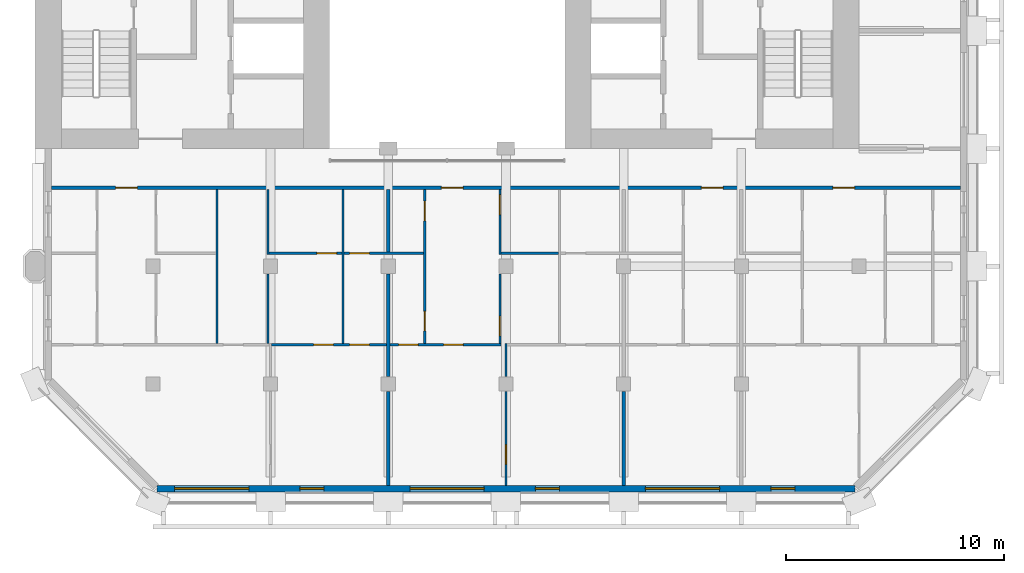
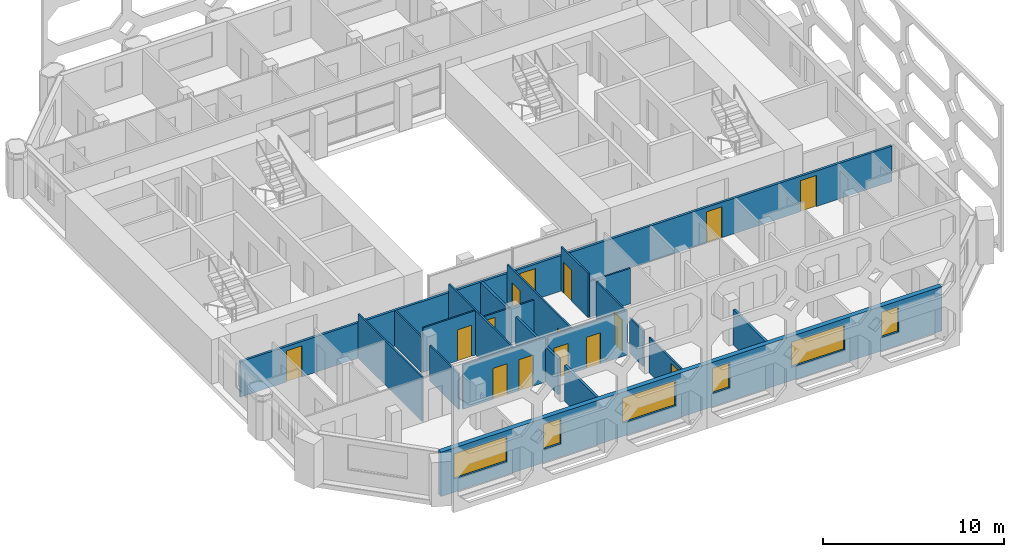
# One storey, part 6 of 15: 20 walls, 15 doors, 6 windows, 21 openings.
"""IFC4 building model written with IfcOpenShell, lengths in metres."""

from ifc_helpers import new_model, si_unit, direction, frame, frame_2d, origin, place, context, subcontext, project, spatial, rectangle, extrude, material, layer, layer_set, type_object, element, fill, save


model = new_model("IFC4")

# Units and contexts
model_context = context("Model", 3, precision=1e-05, world=origin(), true_north=direction((0.0, 1.0)))
body_context = subcontext(model_context, "Body", "Model", "MODEL_VIEW")
ifc_project = project(units=[si_unit("LENGTHUNIT", "METRE"), si_unit("AREAUNIT", "SQUARE_METRE"), si_unit("VOLUMEUNIT", "CUBIC_METRE"), si_unit("PLANEANGLEUNIT", "RADIAN"), si_unit("MASSUNIT", "GRAM", prefix="KILO")], contexts=[model_context])

# Site, building, storey
site_placement = place(None, origin())
site = spatial("IfcSite", under=ifc_project, at=site_placement, CompositionType="ELEMENT")
building_placement = place(site_placement, origin())
building = spatial("IfcBuilding", under=site, at=building_placement, Name="Tabaq Tower and Sports Hall", CompositionType="ELEMENT")
storey_placement = place(building_placement, frame((0.0, 0.0, 278.5)))
storey = spatial("IfcBuildingStorey", under=building, at=storey_placement, Name="L68", CompositionType="ELEMENT", Elevation=278.5)

# Wall, openings, doors
ifc_material_1 = material(Name="Gypsum board on steel studs", Category="steel")
ifc_layer_1 = layer(ifc_material_1, 0.10009765625)
ifc_layer_set_1 = layer_set([ifc_layer_1], Name="Partition 100 Gypsum board")
wall_type_1 = type_object("IfcWallType", Name="Partition 100 Gypsum board", PredefinedType="PARTITIONING", material=ifc_layer_set_1)
wall_1_placement = place(storey_placement, frame((21.52490234375, 7.199951171875, 0.0), z_axis=(0.0, 0.0, 1.0), x_axis=(-1.0, 0.0, 0.0)))
wall_1 = element("IfcWall", 1, at=wall_1_placement, inside=storey, type_object=wall_type_1, Name="Partition wall L68", PredefinedType="PARTITIONING", context=body_context, shape_type="SweptSolid", body=[
    extrude(rectangle(XDim=5.27490234375, YDim=0.10009765625, at=frame_2d((2.637451171875, 0.0))), origin(), (0.0, 0.0, 1.0), 3.0),
])
opening_1_placement = place(wall_1_placement, frame((2.447021484375, 0.0, 0.0)))
opening_1 = element("IfcOpeningElement", 2, at=opening_1_placement, cuts=wall_1, Name="Opening L68-037", PredefinedType="OPENING", context=body_context, shape_type="SweptSolid", body=[
    extrude(rectangle(XDim=0.89990234375, YDim=2.10009765625, at=frame_2d((0.449951171875, 1.050048828125))), frame((0.0, 0.050048828125, 0.0), z_axis=(0.0, -1.0, 0.0), x_axis=(1.0, 0.0, 0.0)), (0.0, 0.0, 1.0), 0.10009765625),
])
opening_2_placement = place(wall_1_placement, frame((0.794921875, 0.0, 0.0)))
opening_2 = element("IfcOpeningElement", 3, at=opening_2_placement, cuts=wall_1, Name="Opening L68-038", PredefinedType="OPENING", context=body_context, shape_type="SweptSolid", body=[
    extrude(rectangle(XDim=0.89990234375, YDim=2.10009765625, at=frame_2d((0.449951171875, 1.050048828125))), frame((0.0, 0.050048828125, 0.0), z_axis=(0.0, -1.0, 0.0), x_axis=(1.0, 0.0, 0.0)), (0.0, 0.0, 1.0), 0.10009765625),
])
ifc_material_2 = material(Name="Timber leaf in steel frame", Category="steel")
door_type_1 = type_object("IfcDoorType", Name="Internal door 900 left hand", OperationType="SINGLE_SWING_LEFT", PredefinedType="DOOR", material=ifc_material_2)
door_1_placement = place(opening_2_placement, origin())
door_1 = element("IfcDoor", 4, at=door_1_placement, inside=storey, type_object=door_type_1, Name="Internal door L68-038", OperationType="SINGLE_SWING_LEFT", OverallHeight=2.10009765625, OverallWidth=0.89990234375, PredefinedType="DOOR", context=body_context, shape_type="SweptSolid", body=[
    extrude(rectangle(XDim=0.89990234375, YDim=2.10009765625, at=frame_2d((0.449951171875, 1.050048828125))), frame((0.0, 0.02490234375, 0.0), z_axis=(0.0, -1.0, 0.0), x_axis=(1.0, 0.0, 0.0)), (0.0, 0.0, 1.0), 0.050048828125),
])
fill(opening_2, door_1)
ifc_material_3 = material(Name="Timber leaf in steel frame", Category="steel")
door_type_2 = type_object("IfcDoorType", Name="Internal door 900 right hand", OperationType="SINGLE_SWING_RIGHT", PredefinedType="DOOR", material=ifc_material_3)
door_2_placement = place(opening_1_placement, origin())
door_2 = element("IfcDoor", 5, at=door_2_placement, inside=storey, type_object=door_type_2, Name="Internal door L68-037", OperationType="SINGLE_SWING_RIGHT", OverallHeight=2.10009765625, OverallWidth=0.89990234375, PredefinedType="DOOR", context=body_context, shape_type="SweptSolid", body=[
    extrude(rectangle(XDim=0.89990234375, YDim=2.10009765625, at=frame_2d((0.449951171875, 1.050048828125))), frame((0.0, 0.02490234375, 0.0), z_axis=(0.0, -1.0, 0.0), x_axis=(1.0, 0.0, 0.0)), (0.0, 0.0, 1.0), 0.050048828125),
])
fill(opening_1, door_2)

# Walls
wall_2_placement = place(storey_placement, frame((13.739990234375, 7.25, 0.0), z_axis=(0.0, 0.0, 1.0), x_axis=(0.0, 1.0, 0.0)))
element("IfcWall", 6, at=wall_2_placement, inside=storey, type_object=wall_type_1, Name="Partition wall L68", PredefinedType="PARTITIONING", context=body_context, shape_type="SweptSolid", body=[
    extrude(rectangle(XDim=7.074951171875, YDim=0.10009765625, at=frame_2d((3.53759765625, 0.0))), origin(), (0.0, 0.0, 1.0), 3.0),
])
wall_3_placement = place(storey_placement, frame((16.080078125, 7.25, 0.0), z_axis=(0.0, 0.0, 1.0), x_axis=(0.0, 1.0, 0.0)))
element("IfcWall", 7, at=wall_3_placement, inside=storey, type_object=wall_type_1, Name="Partition wall L68", PredefinedType="PARTITIONING", context=body_context, shape_type="SweptSolid", body=[
    extrude(rectangle(XDim=3.205078125, YDim=0.10009765625, at=frame_2d((1.6025390625, 0.0))), origin(), (0.0, 0.0, 1.0), 2.39990234375),
])
wall_4_placement = place(storey_placement, frame((16.080078125, 11.35009765625, 0.0), z_axis=(0.0, 0.0, 1.0), x_axis=(0.0, 1.0, 0.0)))
element("IfcWall", 8, at=wall_4_placement, inside=storey, type_object=wall_type_1, Name="Partition wall L68", PredefinedType="PARTITIONING", context=body_context, shape_type="SweptSolid", body=[
    extrude(rectangle(XDim=2.974853515625, YDim=0.10009765625, at=frame_2d((1.4873046875, 0.0))), origin(), (0.0, 0.0, 1.0), 2.39990234375),
])

# Wall, opening, door
wall_5_placement = place(storey_placement, frame((19.47998046875, 11.39990234375, 0.0), z_axis=(0.0, 0.0, 1.0), x_axis=(-1.0, 0.0, 0.0)))
wall_5 = element("IfcWall", 9, at=wall_5_placement, inside=storey, type_object=wall_type_1, Name="Partition wall L68", PredefinedType="PARTITIONING", context=body_context, shape_type="SweptSolid", body=[
    extrude(rectangle(XDim=3.35009765625, YDim=0.10009765625, at=frame_2d((1.675048828125, 0.0))), origin(), (0.0, 0.0, 1.0), 3.0),
])
opening_3_placement = place(wall_5_placement, frame((0.25, 0.0, 0.0)))
opening_3 = element("IfcOpeningElement", 10, at=opening_3_placement, cuts=wall_5, Name="Opening L68-013", PredefinedType="OPENING", context=body_context, shape_type="SweptSolid", body=[
    extrude(rectangle(XDim=0.89990234375, YDim=2.10009765625, at=frame_2d((0.449951171875, 1.050048828125))), frame((0.0, 0.050048828125, 0.0), z_axis=(0.0, -1.0, 0.0), x_axis=(1.0, 0.0, 0.0)), (0.0, 0.0, 1.0), 0.10009765625),
])
door_3_placement = place(opening_3_placement, origin())
door_3 = element("IfcDoor", 11, at=door_3_placement, inside=storey, type_object=door_type_2, Name="Internal door L68-013", OperationType="SINGLE_SWING_RIGHT", OverallHeight=2.10009765625, OverallWidth=0.89990234375, PredefinedType="DOOR", context=body_context, shape_type="SweptSolid", body=[
    extrude(rectangle(XDim=0.89990234375, YDim=2.10009765625, at=frame_2d((0.449951171875, 1.050048828125))), frame((0.0, 0.02490234375, 0.0), z_axis=(0.0, -1.0, 0.0), x_axis=(1.0, 0.0, 0.0)), (0.0, 0.0, 1.0), 0.050048828125),
])
fill(opening_3, door_3)

# Wall
wall_6_placement = place(storey_placement, frame((19.530029296875, 7.25, 0.0), z_axis=(0.0, 0.0, 1.0), x_axis=(0.0, 1.0, 0.0)))
element("IfcWall", 12, at=wall_6_placement, inside=storey, type_object=wall_type_1, Name="Partition wall L68", PredefinedType="PARTITIONING", context=body_context, shape_type="SweptSolid", body=[
    extrude(rectangle(XDim=7.074951171875, YDim=0.10009765625, at=frame_2d((3.53759765625, 0.0))), origin(), (0.0, 0.0, 1.0), 3.0),
])

# Wall, opening, door
wall_7_placement = place(storey_placement, frame((27.0, 0.7509765625, 0.0), z_axis=(0.0, 0.0, 1.0), x_axis=(0.0, 1.0, 0.0)))
wall_7 = element("IfcWall", 13, at=wall_7_placement, inside=storey, type_object=wall_type_1, Name="Partition wall L68", PredefinedType="PARTITIONING", context=body_context, shape_type="SweptSolid", body=[
    extrude(rectangle(XDim=4.303955078125, YDim=0.10009765625, at=frame_2d((2.15185546875, 0.0))), origin(), (0.0, 0.0, 1.0), 2.39990234375),
])
opening_4_placement = place(wall_7_placement, frame((0.97412109375, 0.0, 0.0)))
opening_4 = element("IfcOpeningElement", 14, at=opening_4_placement, cuts=wall_7, Name="Opening L68-040", PredefinedType="OPENING", context=body_context, shape_type="SweptSolid", body=[
    extrude(rectangle(XDim=0.89990234375, YDim=2.10009765625, at=frame_2d((0.449951171875, 1.050048828125))), frame((0.0, 0.050048828125, 0.0), z_axis=(0.0, -1.0, 0.0), x_axis=(1.0, 0.0, 0.0)), (0.0, 0.0, 1.0), 0.10009765625),
])
door_4_placement = place(opening_4_placement, origin())
door_4 = element("IfcDoor", 15, at=door_4_placement, inside=storey, type_object=door_type_2, Name="Internal door L68-040", OperationType="SINGLE_SWING_RIGHT", OverallHeight=2.10009765625, OverallWidth=0.89990234375, PredefinedType="DOOR", context=body_context, shape_type="SweptSolid", body=[
    extrude(rectangle(XDim=0.89990234375, YDim=2.10009765625, at=frame_2d((0.449951171875, 1.050048828125))), frame((0.0, 0.02490234375, 0.0), z_axis=(0.0, -1.0, 0.0), x_axis=(1.0, 0.0, 0.0)), (0.0, 0.0, 1.0), 0.050048828125),
])
fill(opening_4, door_4)

# Wall
wall_8_placement = place(storey_placement, frame((27.0, 5.7451171875, 0.0), z_axis=(0.0, 0.0, 1.0), x_axis=(0.0, 1.0, 0.0)))
element("IfcWall", 16, at=wall_8_placement, inside=storey, type_object=wall_type_1, Name="Partition wall L68", PredefinedType="PARTITIONING", context=body_context, shape_type="SweptSolid", body=[
    extrude(rectangle(XDim=1.5048828125, YDim=0.10009765625, at=frame_2d((0.75244140625, 0.0))), origin(), (0.0, 0.0, 1.0), 2.39990234375),
])

# Wall, openings, doors
wall_9_placement = place(storey_placement, frame((26.77197265625, 7.199951171875, 0.0), z_axis=(0.0, 0.0, 1.0), x_axis=(-1.0, 0.0, 0.0)))
wall_9 = element("IfcWall", 17, at=wall_9_placement, inside=storey, type_object=wall_type_1, Name="Partition wall L68", PredefinedType="PARTITIONING", context=body_context, shape_type="SweptSolid", body=[
    extrude(rectangle(XDim=5.096923828125, YDim=0.10009765625, at=frame_2d((2.54833984375, 0.0))), origin(), (0.0, 0.0, 1.0), 3.0),
])
opening_5_placement = place(wall_9_placement, frame((3.801025390625, 0.0, 0.0)))
opening_5 = element("IfcOpeningElement", 18, at=opening_5_placement, cuts=wall_9, Name="Opening L68-041", PredefinedType="OPENING", context=body_context, shape_type="SweptSolid", body=[
    extrude(rectangle(XDim=0.89990234375, YDim=2.10009765625, at=frame_2d((0.449951171875, 1.050048828125))), frame((0.0, 0.050048828125, 0.0), z_axis=(0.0, -1.0, 0.0), x_axis=(1.0, 0.0, 0.0)), (0.0, 0.0, 1.0), 0.10009765625),
])
opening_6_placement = place(wall_9_placement, frame((1.73193359375, 0.0, 0.0)))
opening_6 = element("IfcOpeningElement", 19, at=opening_6_placement, cuts=wall_9, Name="Opening L68-055", PredefinedType="OPENING", context=body_context, shape_type="SweptSolid", body=[
    extrude(rectangle(XDim=0.89990234375, YDim=2.10009765625, at=frame_2d((0.449951171875, 1.050048828125))), frame((0.0, 0.050048828125, 0.0), z_axis=(0.0, -1.0, 0.0), x_axis=(1.0, 0.0, 0.0)), (0.0, 0.0, 1.0), 0.10009765625),
])
door_5_placement = place(opening_6_placement, origin())
door_5 = element("IfcDoor", 20, at=door_5_placement, inside=storey, type_object=door_type_1, Name="Internal door L68-055", OperationType="SINGLE_SWING_LEFT", OverallHeight=2.10009765625, OverallWidth=0.89990234375, PredefinedType="DOOR", context=body_context, shape_type="SweptSolid", body=[
    extrude(rectangle(XDim=0.89990234375, YDim=2.10009765625, at=frame_2d((0.449951171875, 1.050048828125))), frame((0.0, 0.02490234375, 0.0), z_axis=(0.0, -1.0, 0.0), x_axis=(1.0, 0.0, 0.0)), (0.0, 0.0, 1.0), 0.050048828125),
])
fill(opening_6, door_5)
door_6_placement = place(opening_5_placement, origin())
door_6 = element("IfcDoor", 21, at=door_6_placement, inside=storey, type_object=door_type_2, Name="Internal door L68-041", OperationType="SINGLE_SWING_RIGHT", OverallHeight=2.10009765625, OverallWidth=0.89990234375, PredefinedType="DOOR", context=body_context, shape_type="SweptSolid", body=[
    extrude(rectangle(XDim=0.89990234375, YDim=2.10009765625, at=frame_2d((0.449951171875, 1.050048828125))), frame((0.0, 0.02490234375, 0.0), z_axis=(0.0, -1.0, 0.0), x_axis=(1.0, 0.0, 0.0)), (0.0, 0.0, 1.0), 0.050048828125),
])
fill(opening_5, door_6)

# Wall, opening, door
wall_10_placement = place(storey_placement, frame((23.220947265625, 11.39990234375, 0.0), z_axis=(0.0, 0.0, 1.0), x_axis=(-1.0, 0.0, 0.0)))
wall_10 = element("IfcWall", 22, at=wall_10_placement, inside=storey, type_object=wall_type_1, Name="Partition wall L68", PredefinedType="PARTITIONING", context=body_context, shape_type="SweptSolid", body=[
    extrude(rectangle(XDim=3.640869140625, YDim=0.10009765625, at=frame_2d((1.8203125, 0.0))), origin(), (0.0, 0.0, 1.0), 2.39990234375),
])
opening_7_placement = place(wall_10_placement, frame((2.490966796875, 0.0, 0.0)))
opening_7 = element("IfcOpeningElement", 23, at=opening_7_placement, cuts=wall_10, Name="Opening L68-014", PredefinedType="OPENING", context=body_context, shape_type="SweptSolid", body=[
    extrude(rectangle(XDim=0.89990234375, YDim=2.10009765625, at=frame_2d((0.449951171875, 1.050048828125))), frame((0.0, 0.050048828125, 0.0), z_axis=(0.0, -1.0, 0.0), x_axis=(1.0, 0.0, 0.0)), (0.0, 0.0, 1.0), 0.10009765625),
])
door_7_placement = place(opening_7_placement, origin())
door_7 = element("IfcDoor", 24, at=door_7_placement, inside=storey, type_object=door_type_2, Name="Internal door L68-014", OperationType="SINGLE_SWING_RIGHT", OverallHeight=2.10009765625, OverallWidth=0.89990234375, PredefinedType="DOOR", context=body_context, shape_type="SweptSolid", body=[
    extrude(rectangle(XDim=0.89990234375, YDim=2.10009765625, at=frame_2d((0.449951171875, 1.050048828125))), frame((0.0, 0.02490234375, 0.0), z_axis=(0.0, -1.0, 0.0), x_axis=(1.0, 0.0, 0.0)), (0.0, 0.0, 1.0), 0.050048828125),
])
fill(opening_7, door_7)

# Wall, openings, doors
wall_11_placement = place(storey_placement, frame((23.27099609375, 7.25, 0.0), z_axis=(0.0, 0.0, 1.0), x_axis=(0.0, 1.0, 0.0)))
wall_11 = element("IfcWall", 25, at=wall_11_placement, inside=storey, type_object=wall_type_1, Name="Partition wall L68", PredefinedType="PARTITIONING", context=body_context, shape_type="SweptSolid", body=[
    extrude(rectangle(XDim=7.074951171875, YDim=0.10009765625, at=frame_2d((3.53759765625, 0.0))), origin(), (0.0, 0.0, 1.0), 3.0),
])
opening_8_placement = place(wall_11_placement, frame((5.637939453125, 0.0, 0.0)))
opening_8 = element("IfcOpeningElement", 26, at=opening_8_placement, cuts=wall_11, Name="Opening L68-015", PredefinedType="OPENING", context=body_context, shape_type="SweptSolid", body=[
    extrude(rectangle(XDim=0.89990234375, YDim=2.10009765625, at=frame_2d((0.449951171875, 1.050048828125))), frame((0.0, 0.050048828125, 0.0), z_axis=(0.0, -1.0, 0.0), x_axis=(1.0, 0.0, 0.0)), (0.0, 0.0, 1.0), 0.10009765625),
])
opening_9_placement = place(wall_11_placement, frame((0.5869140625, 0.0, 0.0)))
opening_9 = element("IfcOpeningElement", 27, at=opening_9_placement, cuts=wall_11, Name="Opening L68-043", PredefinedType="OPENING", context=body_context, shape_type="SweptSolid", body=[
    extrude(rectangle(XDim=0.89990234375, YDim=2.10009765625, at=frame_2d((0.449951171875, 1.050048828125))), frame((0.0, 0.050048828125, 0.0), z_axis=(0.0, -1.0, 0.0), x_axis=(1.0, 0.0, 0.0)), (0.0, 0.0, 1.0), 0.10009765625),
])
door_8_placement = place(opening_8_placement, origin())
door_8 = element("IfcDoor", 28, at=door_8_placement, inside=storey, type_object=door_type_1, Name="Internal door L68-015", OperationType="SINGLE_SWING_LEFT", OverallHeight=2.10009765625, OverallWidth=0.89990234375, PredefinedType="DOOR", context=body_context, shape_type="SweptSolid", body=[
    extrude(rectangle(XDim=0.89990234375, YDim=2.10009765625, at=frame_2d((0.449951171875, 1.050048828125))), frame((0.0, 0.02490234375, 0.0), z_axis=(0.0, -1.0, 0.0), x_axis=(1.0, 0.0, 0.0)), (0.0, 0.0, 1.0), 0.050048828125),
])
fill(opening_8, door_8)
door_9_placement = place(opening_9_placement, origin())
door_9 = element("IfcDoor", 29, at=door_9_placement, inside=storey, type_object=door_type_2, Name="Internal door L68-043", OperationType="SINGLE_SWING_RIGHT", OverallHeight=2.10009765625, OverallWidth=0.89990234375, PredefinedType="DOOR", context=body_context, shape_type="SweptSolid", body=[
    extrude(rectangle(XDim=0.89990234375, YDim=2.10009765625, at=frame_2d((0.449951171875, 1.050048828125))), frame((0.0, 0.02490234375, 0.0), z_axis=(0.0, -1.0, 0.0), x_axis=(1.0, 0.0, 0.0)), (0.0, 0.0, 1.0), 0.050048828125),
])
fill(opening_9, door_9)

# Wall, opening, door
wall_12_placement = place(storey_placement, frame((26.721923828125, 7.25, 0.0), z_axis=(0.0, 0.0, 1.0), x_axis=(0.0, 1.0, 0.0)))
wall_12 = element("IfcWall", 30, at=wall_12_placement, inside=storey, type_object=wall_type_1, Name="Partition wall L68", PredefinedType="PARTITIONING", context=body_context, shape_type="SweptSolid", body=[
    extrude(rectangle(XDim=3.205078125, YDim=0.10009765625, at=frame_2d((1.6025390625, 0.0))), origin(), (0.0, 0.0, 1.0), 3.0),
])
opening_10_placement = place(wall_12_placement, frame((0.362060546875, 0.0, 0.0)))
opening_10 = element("IfcOpeningElement", 31, at=opening_10_placement, cuts=wall_12, Name="Opening L68-016", PredefinedType="OPENING", context=body_context, shape_type="SweptSolid", body=[
    extrude(rectangle(XDim=0.89990234375, YDim=2.10009765625, at=frame_2d((0.449951171875, 1.050048828125))), frame((0.0, 0.050048828125, 0.0), z_axis=(0.0, -1.0, 0.0), x_axis=(1.0, 0.0, 0.0)), (0.0, 0.0, 1.0), 0.10009765625),
])
door_10_placement = place(opening_10_placement, origin())
door_10 = element("IfcDoor", 32, at=door_10_placement, inside=storey, type_object=door_type_2, Name="Internal door L68-016", OperationType="SINGLE_SWING_RIGHT", OverallHeight=2.10009765625, OverallWidth=0.89990234375, PredefinedType="DOOR", context=body_context, shape_type="SweptSolid", body=[
    extrude(rectangle(XDim=0.89990234375, YDim=2.10009765625, at=frame_2d((0.449951171875, 1.050048828125))), frame((0.0, 0.02490234375, 0.0), z_axis=(0.0, -1.0, 0.0), x_axis=(1.0, 0.0, 0.0)), (0.0, 0.0, 1.0), 0.050048828125),
])
fill(opening_10, door_10)

wall_13_placement = place(storey_placement, frame((26.721923828125, 11.35009765625, 0.0), z_axis=(0.0, 0.0, 1.0), x_axis=(0.0, 1.0, 0.0)))
wall_13 = element("IfcWall", 33, at=wall_13_placement, inside=storey, type_object=wall_type_1, Name="Partition wall L68", PredefinedType="PARTITIONING", context=body_context, shape_type="SweptSolid", body=[
    extrude(rectangle(XDim=2.974853515625, YDim=0.10009765625, at=frame_2d((1.4873046875, 0.0))), origin(), (0.0, 0.0, 1.0), 3.0),
])
opening_11_placement = place(wall_13_placement, frame((1.824951171875, 0.0, 0.0)))
opening_11 = element("IfcOpeningElement", 34, at=opening_11_placement, cuts=wall_13, Name="Opening L68-017", PredefinedType="OPENING", context=body_context, shape_type="SweptSolid", body=[
    extrude(rectangle(XDim=0.89990234375, YDim=2.10009765625, at=frame_2d((0.449951171875, 1.050048828125))), frame((0.0, 0.050048828125, 0.0), z_axis=(0.0, -1.0, 0.0), x_axis=(1.0, 0.0, 0.0)), (0.0, 0.0, 1.0), 0.10009765625),
])
door_11_placement = place(opening_11_placement, origin())
door_11 = element("IfcDoor", 35, at=door_11_placement, inside=storey, type_object=door_type_2, Name="Internal door L68-017", OperationType="SINGLE_SWING_RIGHT", OverallHeight=2.10009765625, OverallWidth=0.89990234375, PredefinedType="DOOR", context=body_context, shape_type="SweptSolid", body=[
    extrude(rectangle(XDim=0.89990234375, YDim=2.10009765625, at=frame_2d((0.449951171875, 1.050048828125))), frame((0.0, 0.02490234375, 0.0), z_axis=(0.0, -1.0, 0.0), x_axis=(1.0, 0.0, 0.0)), (0.0, 0.0, 1.0), 0.050048828125),
])
fill(opening_11, door_11)

# Walls
wall_14_placement = place(storey_placement, frame((29.39990234375, 11.39990234375, 0.0), z_axis=(0.0, 0.0, 1.0), x_axis=(-1.0, 0.0, 0.0)))
element("IfcWall", 36, at=wall_14_placement, inside=storey, type_object=wall_type_1, Name="Partition wall L68", PredefinedType="PARTITIONING", context=body_context, shape_type="SweptSolid", body=[
    extrude(rectangle(XDim=2.6279296875, YDim=0.10009765625, at=frame_2d((1.31396484375, 0.0))), origin(), (0.0, 0.0, 1.0), 2.39990234375),
])
ifc_material_4 = material(Name="Blockwork", Category="masonry")
ifc_layer_2 = layer(ifc_material_4, 0.14990234375)
ifc_layer_set_2 = layer_set([ifc_layer_2], Name="Separating wall 150 Blockwork")
wall_type_2 = type_object("IfcWallType", Name="Separating wall 150 Blockwork", PredefinedType="PARTITIONING", material=ifc_layer_set_2)
wall_15_placement = place(storey_placement, frame((21.60009765625, 0.7509765625, 0.0), z_axis=(0.0, 0.0, 1.0), x_axis=(0.0, 1.0, 0.0)))
element("IfcWall", 37, at=wall_15_placement, inside=storey, type_object=wall_type_2, Name="Separating wall L68", PredefinedType="PARTITIONING", context=body_context, shape_type="SweptSolid", body=[
    extrude(rectangle(XDim=4.303955078125, YDim=0.14990234375, at=frame_2d((2.15185546875, 0.0))), origin(), (0.0, 0.0, 1.0), 2.39990234375),
])
wall_16_placement = place(storey_placement, frame((21.60009765625, 5.7451171875, 0.0), z_axis=(0.0, 0.0, 1.0), x_axis=(0.0, 1.0, 0.0)))
element("IfcWall", 38, at=wall_16_placement, inside=storey, type_object=wall_type_2, Name="Separating wall L68", PredefinedType="PARTITIONING", context=body_context, shape_type="SweptSolid", body=[
    extrude(rectangle(XDim=4.7099609375, YDim=0.14990234375, at=frame_2d((2.35498046875, 0.0))), origin(), (0.0, 0.0, 1.0), 2.39990234375),
])
wall_17_placement = place(storey_placement, frame((21.60009765625, 11.449951171875, 0.0), z_axis=(0.0, 0.0, 1.0), x_axis=(0.0, 1.0, 0.0)))
element("IfcWall", 39, at=wall_17_placement, inside=storey, type_object=wall_type_2, Name="Separating wall L68", PredefinedType="PARTITIONING", context=body_context, shape_type="SweptSolid", body=[
    extrude(rectangle(XDim=2.875, YDim=0.14990234375, at=frame_2d((1.4375, 0.0))), origin(), (0.0, 0.0, 1.0), 2.39990234375),
])
wall_18_placement = place(storey_placement, frame((32.39990234375, 0.7509765625, 0.0), z_axis=(0.0, 0.0, 1.0), x_axis=(0.0, 1.0, 0.0)))
element("IfcWall", 40, at=wall_18_placement, inside=storey, type_object=wall_type_2, Name="Separating wall L68", PredefinedType="PARTITIONING", context=body_context, shape_type="SweptSolid", body=[
    extrude(rectangle(XDim=4.303955078125, YDim=0.14990234375, at=frame_2d((2.15185546875, 0.0))), origin(), (0.0, 0.0, 1.0), 2.39990234375),
])

# Wall, openings, doors
wall_19_placement = place(storey_placement, frame((47.84912109375, 14.39990234375, 0.0), z_axis=(0.0, 0.0, 1.0), x_axis=(-1.0, 0.0, 0.0)))
wall_19 = element("IfcWall", 41, at=wall_19_placement, inside=storey, type_object=wall_type_2, Name="Separating wall L68", PredefinedType="PARTITIONING", context=body_context, shape_type="SweptSolid", body=[
    extrude(rectangle(XDim=41.6982421875, YDim=0.14990234375, at=frame_2d((20.84912109375, 0.0))), origin(), (0.0, 0.0, 1.0), 2.39990234375),
])
opening_12_placement = place(wall_19_placement, frame((10.881103515625, 0.0, 0.0)))
opening_12 = element("IfcOpeningElement", 42, at=opening_12_placement, cuts=wall_19, Name="Opening L68-062", PredefinedType="OPENING", context=body_context, shape_type="SweptSolid", body=[
    extrude(rectangle(XDim=1.0, YDim=2.10009765625, at=frame_2d((0.5, 1.050048828125))), frame((0.0, 0.074951171875, 0.0), z_axis=(0.0, -1.0, 0.0), x_axis=(1.0, 0.0, 0.0)), (0.0, 0.0, 1.0), 0.14990234375),
])
opening_13_placement = place(wall_19_placement, frame((37.759033203125, 0.0, 0.0)))
opening_13 = element("IfcOpeningElement", 43, at=opening_13_placement, cuts=wall_19, Name="Opening L68-063", PredefinedType="OPENING", context=body_context, shape_type="SweptSolid", body=[
    extrude(rectangle(XDim=1.0, YDim=2.10009765625, at=frame_2d((0.5, 1.050048828125))), frame((0.0, 0.074951171875, 0.0), z_axis=(0.0, -1.0, 0.0), x_axis=(1.0, 0.0, 0.0)), (0.0, 0.0, 1.0), 0.14990234375),
])
opening_14_placement = place(wall_19_placement, frame((22.81494140625, 0.0, 0.0)))
opening_14 = element("IfcOpeningElement", 44, at=opening_14_placement, cuts=wall_19, Name="Opening L68-064", PredefinedType="OPENING", context=body_context, shape_type="SweptSolid", body=[
    extrude(rectangle(XDim=1.0, YDim=2.10009765625, at=frame_2d((0.5, 1.050048828125))), frame((0.0, 0.074951171875, 0.0), z_axis=(0.0, -1.0, 0.0), x_axis=(1.0, 0.0, 0.0)), (0.0, 0.0, 1.0), 0.14990234375),
])
opening_15_placement = place(wall_19_placement, frame((4.85009765625, 0.0, 0.0)))
opening_15 = element("IfcOpeningElement", 45, at=opening_15_placement, cuts=wall_19, Name="Opening L68-065", PredefinedType="OPENING", context=body_context, shape_type="SweptSolid", body=[
    extrude(rectangle(XDim=1.0, YDim=2.10009765625, at=frame_2d((0.5, 1.050048828125))), frame((0.0, 0.074951171875, 0.0), z_axis=(0.0, -1.0, 0.0), x_axis=(1.0, 0.0, 0.0)), (0.0, 0.0, 1.0), 0.14990234375),
])
ifc_material_5 = material(Name="Steel fire door", Category="steel")
door_type_3 = type_object("IfcDoorType", Name="Entrance door 1000 left hand", OperationType="SINGLE_SWING_LEFT", PredefinedType="DOOR", material=ifc_material_5)
door_12_placement = place(opening_13_placement, origin())
door_12 = element("IfcDoor", 46, at=door_12_placement, inside=storey, type_object=door_type_3, Name="Entrance door L68-063", OperationType="SINGLE_SWING_LEFT", OverallHeight=2.10009765625, OverallWidth=1.0, PredefinedType="DOOR", context=body_context, shape_type="SweptSolid", body=[
    extrude(rectangle(XDim=1.0, YDim=2.10009765625, at=frame_2d((0.5, 1.050048828125))), frame((0.0, 0.02490234375, 0.0), z_axis=(0.0, -1.0, 0.0), x_axis=(1.0, 0.0, 0.0)), (0.0, 0.0, 1.0), 0.050048828125),
])
fill(opening_13, door_12)
door_13_placement = place(opening_14_placement, origin())
door_13 = element("IfcDoor", 47, at=door_13_placement, inside=storey, type_object=door_type_3, Name="Entrance door L68-064", OperationType="SINGLE_SWING_LEFT", OverallHeight=2.10009765625, OverallWidth=1.0, PredefinedType="DOOR", context=body_context, shape_type="SweptSolid", body=[
    extrude(rectangle(XDim=1.0, YDim=2.10009765625, at=frame_2d((0.5, 1.050048828125))), frame((0.0, 0.02490234375, 0.0), z_axis=(0.0, -1.0, 0.0), x_axis=(1.0, 0.0, 0.0)), (0.0, 0.0, 1.0), 0.050048828125),
])
fill(opening_14, door_13)
ifc_material_6 = material(Name="Steel fire door", Category="steel")
door_type_4 = type_object("IfcDoorType", Name="Entrance door 1000 right hand", OperationType="SINGLE_SWING_RIGHT", PredefinedType="DOOR", material=ifc_material_6)
door_14_placement = place(opening_12_placement, origin())
door_14 = element("IfcDoor", 48, at=door_14_placement, inside=storey, type_object=door_type_4, Name="Entrance door L68-062", OperationType="SINGLE_SWING_RIGHT", OverallHeight=2.10009765625, OverallWidth=1.0, PredefinedType="DOOR", context=body_context, shape_type="SweptSolid", body=[
    extrude(rectangle(XDim=1.0, YDim=2.10009765625, at=frame_2d((0.5, 1.050048828125))), frame((0.0, 0.02490234375, 0.0), z_axis=(0.0, -1.0, 0.0), x_axis=(1.0, 0.0, 0.0)), (0.0, 0.0, 1.0), 0.050048828125),
])
fill(opening_12, door_14)
door_15_placement = place(opening_15_placement, origin())
door_15 = element("IfcDoor", 49, at=door_15_placement, inside=storey, type_object=door_type_4, Name="Entrance door L68-065", OperationType="SINGLE_SWING_RIGHT", OverallHeight=2.10009765625, OverallWidth=1.0, PredefinedType="DOOR", context=body_context, shape_type="SweptSolid", body=[
    extrude(rectangle(XDim=1.0, YDim=2.10009765625, at=frame_2d((0.5, 1.050048828125))), frame((0.0, 0.02490234375, 0.0), z_axis=(0.0, -1.0, 0.0), x_axis=(1.0, 0.0, 0.0)), (0.0, 0.0, 1.0), 0.050048828125),
])
fill(opening_15, door_15)

# Wall, openings, windows
ifc_material_7 = material(Name="White precast concrete C60/75", Category="concrete")
ifc_layer_3 = layer(ifc_material_7, 0.300048828125)
ifc_layer_set_3 = layer_set([ifc_layer_3], Name="White precast concrete C60/75 external wall 300")
wall_type_3 = type_object("IfcWallType", Name="White precast concrete C60/75 external wall 300", PredefinedType="SOLIDWALL", material=ifc_layer_set_3)
wall_20_placement = place(storey_placement, frame((10.986328125, 0.60009765625, 0.0), z_axis=(0.0, 0.0, 1.0), x_axis=(1.0, 0.0, 0.0)))
wall_20 = element("IfcWall", 50, at=wall_20_placement, inside=storey, type_object=wall_type_3, Name="External Wall L68 S", PredefinedType="SOLIDWALL", context=body_context, shape_type="SweptSolid", body=[
    extrude(rectangle(XDim=32.02734375, YDim=0.300048828125, at=frame_2d((16.013671875, 0.0))), origin(), (0.0, 0.0, 1.0), 3.0),
])
opening_16_placement = place(wall_20_placement, frame((0.813720703125, 0.0, 0.89990234375)))
opening_16 = element("IfcOpeningElement", 51, at=opening_16_placement, cuts=wall_20, Name="Opening W1A", PredefinedType="OPENING", context=body_context, shape_type="SweptSolid", body=[
    extrude(rectangle(XDim=3.39990234375, YDim=1.699951171875, at=frame_2d((1.699951171875, 0.85009765625))), frame((0.0, 0.16015625, 0.0), z_axis=(0.0, -1.0, 0.0), x_axis=(1.0, 0.0, 0.0)), (0.0, 0.0, 1.0), 0.320068359375),
])
opening_17_placement = place(wall_20_placement, frame((6.563720703125, 0.0, 0.89990234375)))
opening_17 = element("IfcOpeningElement", 52, at=opening_17_placement, cuts=wall_20, Name="Opening W1B", PredefinedType="OPENING", context=body_context, shape_type="SweptSolid", body=[
    extrude(rectangle(XDim=1.10009765625, YDim=1.699951171875, at=frame_2d((0.550048828125, 0.85009765625))), frame((0.0, 0.16015625, 0.0), z_axis=(0.0, -1.0, 0.0), x_axis=(1.0, 0.0, 0.0)), (0.0, 0.0, 1.0), 0.320068359375),
])
opening_18_placement = place(wall_20_placement, frame((11.613525390625, 0.0, 0.89990234375)))
opening_18 = element("IfcOpeningElement", 53, at=opening_18_placement, cuts=wall_20, Name="Opening W1A", PredefinedType="OPENING", context=body_context, shape_type="SweptSolid", body=[
    extrude(rectangle(XDim=3.39990234375, YDim=1.699951171875, at=frame_2d((1.699951171875, 0.85009765625))), frame((0.0, 0.16015625, 0.0), z_axis=(0.0, -1.0, 0.0), x_axis=(1.0, 0.0, 0.0)), (0.0, 0.0, 1.0), 0.320068359375),
])
opening_19_placement = place(wall_20_placement, frame((17.363525390625, 0.0, 0.89990234375)))
opening_19 = element("IfcOpeningElement", 54, at=opening_19_placement, cuts=wall_20, Name="Opening W1B", PredefinedType="OPENING", context=body_context, shape_type="SweptSolid", body=[
    extrude(rectangle(XDim=1.10009765625, YDim=1.699951171875, at=frame_2d((0.550048828125, 0.85009765625))), frame((0.0, 0.16015625, 0.0), z_axis=(0.0, -1.0, 0.0), x_axis=(1.0, 0.0, 0.0)), (0.0, 0.0, 1.0), 0.320068359375),
])
opening_20_placement = place(wall_20_placement, frame((22.41357421875, 0.0, 0.89990234375)))
opening_20 = element("IfcOpeningElement", 55, at=opening_20_placement, cuts=wall_20, Name="Opening W1A", PredefinedType="OPENING", context=body_context, shape_type="SweptSolid", body=[
    extrude(rectangle(XDim=3.39990234375, YDim=1.699951171875, at=frame_2d((1.699951171875, 0.85009765625))), frame((0.0, 0.16015625, 0.0), z_axis=(0.0, -1.0, 0.0), x_axis=(1.0, 0.0, 0.0)), (0.0, 0.0, 1.0), 0.320068359375),
])
opening_21_placement = place(wall_20_placement, frame((28.16357421875, 0.0, 0.89990234375)))
opening_21 = element("IfcOpeningElement", 56, at=opening_21_placement, cuts=wall_20, Name="Opening W1B", PredefinedType="OPENING", context=body_context, shape_type="SweptSolid", body=[
    extrude(rectangle(XDim=1.10009765625, YDim=1.699951171875, at=frame_2d((0.550048828125, 0.85009765625))), frame((0.0, 0.16015625, 0.0), z_axis=(0.0, -1.0, 0.0), x_axis=(1.0, 0.0, 0.0)), (0.0, 0.0, 1.0), 0.320068359375),
])
ifc_material_8 = material(Name="Aluminium framed clear glazing", Category="aluminium")
window_type_1 = type_object("IfcWindowType", Name="Window W1A", PartitioningType="SINGLE_PANEL", PredefinedType="WINDOW", material=ifc_material_8)
window_1_placement = place(opening_16_placement, origin())
window_1 = element("IfcWindow", 57, at=window_1_placement, inside=storey, type_object=window_type_1, Name="Window W1A L68", OverallHeight=1.699951171875, OverallWidth=3.39990234375, PartitioningType="SINGLE_PANEL", PredefinedType="WINDOW", context=body_context, shape_type="SweptSolid", body=[
    extrude(rectangle(XDim=3.39990234375, YDim=1.699951171875, at=frame_2d((1.699951171875, 0.85009765625))), frame((0.0, 0.030029296875, 0.0), z_axis=(0.0, -1.0, 0.0), x_axis=(1.0, 0.0, 0.0)), (0.0, 0.0, 1.0), 0.06005859375),
])
fill(opening_16, window_1)
window_2_placement = place(opening_18_placement, origin())
window_2 = element("IfcWindow", 58, at=window_2_placement, inside=storey, type_object=window_type_1, Name="Window W1A L68", OverallHeight=1.699951171875, OverallWidth=3.39990234375, PartitioningType="SINGLE_PANEL", PredefinedType="WINDOW", context=body_context, shape_type="SweptSolid", body=[
    extrude(rectangle(XDim=3.39990234375, YDim=1.699951171875, at=frame_2d((1.699951171875, 0.85009765625))), frame((0.0, 0.030029296875, 0.0), z_axis=(0.0, -1.0, 0.0), x_axis=(1.0, 0.0, 0.0)), (0.0, 0.0, 1.0), 0.06005859375),
])
fill(opening_18, window_2)
window_3_placement = place(opening_20_placement, origin())
window_3 = element("IfcWindow", 59, at=window_3_placement, inside=storey, type_object=window_type_1, Name="Window W1A L68", OverallHeight=1.699951171875, OverallWidth=3.39990234375, PartitioningType="SINGLE_PANEL", PredefinedType="WINDOW", context=body_context, shape_type="SweptSolid", body=[
    extrude(rectangle(XDim=3.39990234375, YDim=1.699951171875, at=frame_2d((1.699951171875, 0.85009765625))), frame((0.0, 0.030029296875, 0.0), z_axis=(0.0, -1.0, 0.0), x_axis=(1.0, 0.0, 0.0)), (0.0, 0.0, 1.0), 0.06005859375),
])
fill(opening_20, window_3)
ifc_material_9 = material(Name="Aluminium framed clear glazing", Category="aluminium")
window_type_2 = type_object("IfcWindowType", Name="Window W1B", PartitioningType="SINGLE_PANEL", PredefinedType="WINDOW", material=ifc_material_9)
window_4_placement = place(opening_17_placement, origin())
window_4 = element("IfcWindow", 60, at=window_4_placement, inside=storey, type_object=window_type_2, Name="Window W1B L68", OverallHeight=1.699951171875, OverallWidth=1.10009765625, PartitioningType="SINGLE_PANEL", PredefinedType="WINDOW", context=body_context, shape_type="SweptSolid", body=[
    extrude(rectangle(XDim=1.10009765625, YDim=1.699951171875, at=frame_2d((0.550048828125, 0.85009765625))), frame((0.0, 0.030029296875, 0.0), z_axis=(0.0, -1.0, 0.0), x_axis=(1.0, 0.0, 0.0)), (0.0, 0.0, 1.0), 0.06005859375),
])
fill(opening_17, window_4)
window_5_placement = place(opening_19_placement, origin())
window_5 = element("IfcWindow", 61, at=window_5_placement, inside=storey, type_object=window_type_2, Name="Window W1B L68", OverallHeight=1.699951171875, OverallWidth=1.10009765625, PartitioningType="SINGLE_PANEL", PredefinedType="WINDOW", context=body_context, shape_type="SweptSolid", body=[
    extrude(rectangle(XDim=1.10009765625, YDim=1.699951171875, at=frame_2d((0.550048828125, 0.85009765625))), frame((0.0, 0.030029296875, 0.0), z_axis=(0.0, -1.0, 0.0), x_axis=(1.0, 0.0, 0.0)), (0.0, 0.0, 1.0), 0.06005859375),
])
fill(opening_19, window_5)
window_6_placement = place(opening_21_placement, origin())
window_6 = element("IfcWindow", 62, at=window_6_placement, inside=storey, type_object=window_type_2, Name="Window W1B L68", OverallHeight=1.699951171875, OverallWidth=1.10009765625, PartitioningType="SINGLE_PANEL", PredefinedType="WINDOW", context=body_context, shape_type="SweptSolid", body=[
    extrude(rectangle(XDim=1.10009765625, YDim=1.699951171875, at=frame_2d((0.550048828125, 0.85009765625))), frame((0.0, 0.030029296875, 0.0), z_axis=(0.0, -1.0, 0.0), x_axis=(1.0, 0.0, 0.0)), (0.0, 0.0, 1.0), 0.06005859375),
])
fill(opening_21, window_6)

save(model, "model.ifc")
